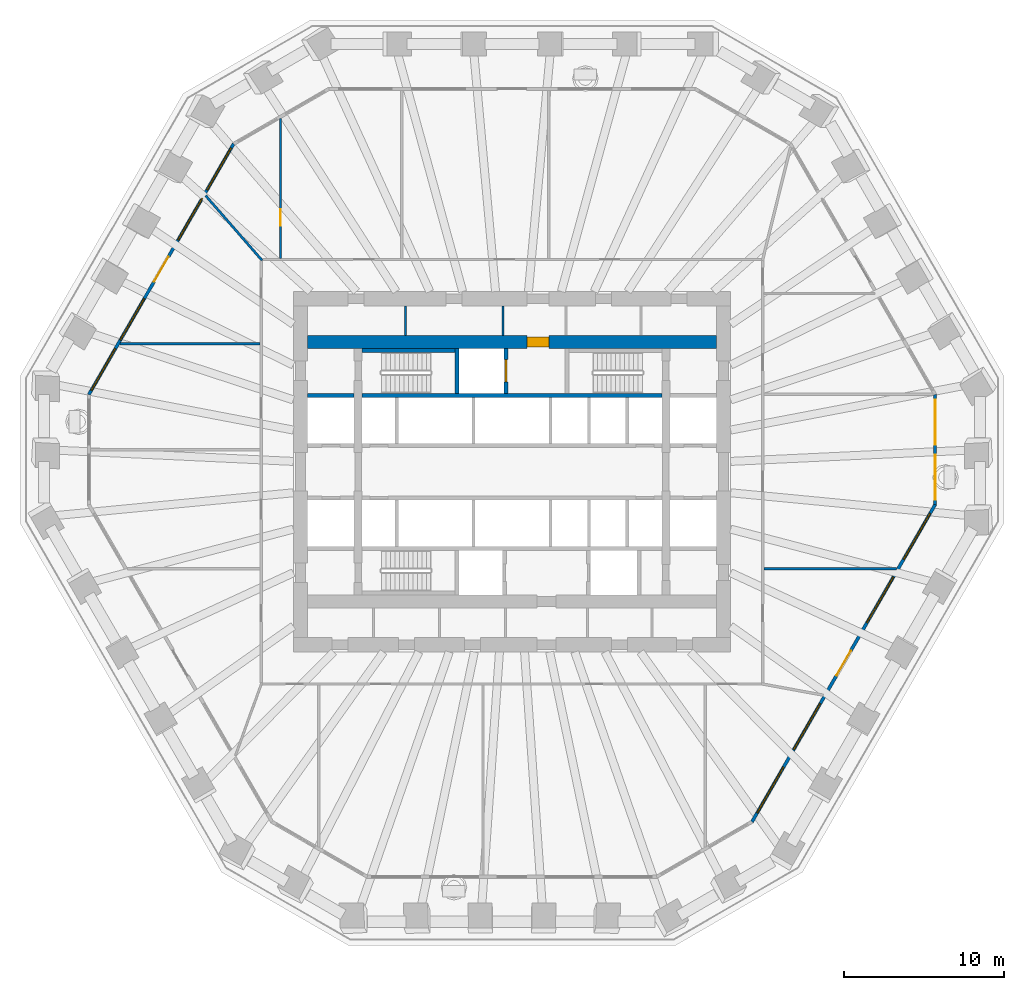
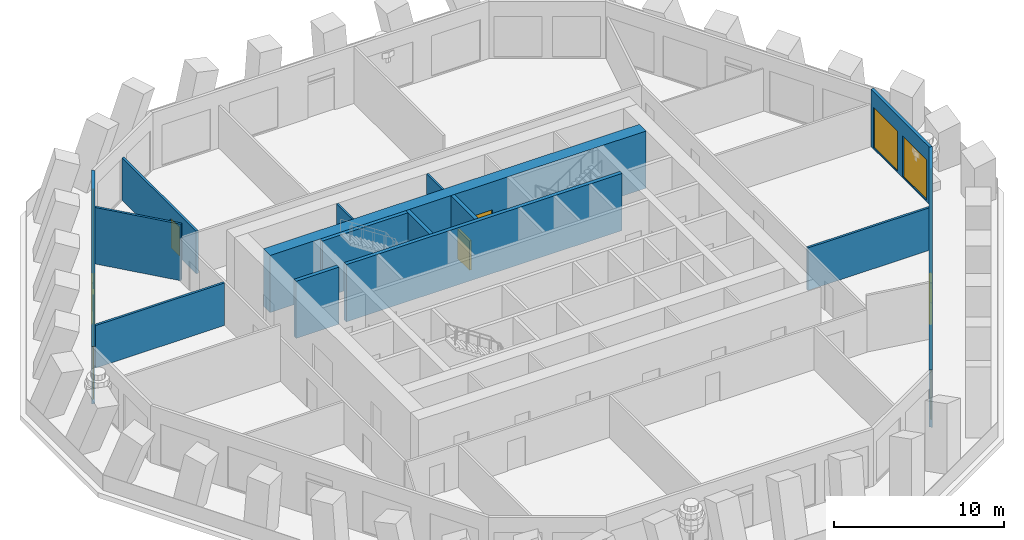
# One storey, part 6 of 11: 15 walls, 12 windows, 5 doors, 17 openings.
"""IFC4 building model written with IfcOpenShell, lengths in metres."""

from ifc_helpers import new_model, si_unit, direction, frame, frame_2d, origin, place, context, subcontext, project, spatial, polyline, rectangle, outline, extrude, material, layer, layer_set, type_object, element, fill, save


model = new_model("IFC4")

# Units and contexts
model_context = context("Model", 3, precision=1e-05, world=origin(), true_north=direction((0.0, 1.0)))
body_context = subcontext(model_context, "Body", "Model", "MODEL_VIEW")
ifc_project = project(units=[si_unit("LENGTHUNIT", "METRE"), si_unit("AREAUNIT", "SQUARE_METRE"), si_unit("VOLUMEUNIT", "CUBIC_METRE"), si_unit("PLANEANGLEUNIT", "RADIAN"), si_unit("MASSUNIT", "GRAM", prefix="KILO")], contexts=[model_context])

# Site, building, storey
site_placement = place(None, origin())
site = spatial("IfcSite", under=ifc_project, at=site_placement, CompositionType="ELEMENT")
building_placement = place(site_placement, origin())
building = spatial("IfcBuilding", under=site, at=building_placement, Name="Frailejon Research Tower", CompositionType="ELEMENT")
storey_placement = place(building_placement, frame((0.0, 0.0, 67.39990234375)))
storey = spatial("IfcBuildingStorey", under=building, at=storey_placement, Name="L15", CompositionType="ELEMENT", Elevation=67.39990234375)

# Walls
ifc_material_1 = material(Name="Plasterboard on steel studs", Category="steel")
ifc_layer_1 = layer(ifc_material_1, 0.125)
ifc_layer_set_1 = layer_set([ifc_layer_1], Name="Core partition 125")
wall_type_1 = type_object("IfcWallType", Name="Core partition 125", PredefinedType="PARTITIONING", material=ifc_layer_set_1)
for number, where, z_axis, x_axis, name in (
    (1, (-6.65625, 8.5, 0.0), (0.0, 0.0, 1.0), (0.0, 1.0, 0.0), "Core partition"),
    (2, (-0.5625, 8.5, 0.0), (0.0, 0.0, 1.0), (0.0, 1.0, 0.0), "Core partition"),
):
    element("IfcWall", number, at=place(storey_placement, frame(where, z_axis=z_axis, x_axis=x_axis)), inside=storey, type_object=wall_type_1, Name=name, PredefinedType="PARTITIONING", context=body_context, shape_type="SweptSolid", body=[
        extrude(rectangle(XDim=1.85009765625, YDim=0.125, at=frame_2d((0.925048828125, 0.0))), origin(), (0.0, 0.0, 1.0), 4.10009765625),
    ])

# Wall, opening, door
ifc_material_2 = material(Name="Concrete C70/85", Category="concrete")
ifc_layer_2 = layer(ifc_material_2, 0.800048828125)
ifc_layer_set_2 = layer_set([ifc_layer_2], Name="Core shear wall 800 C70/85")
wall_type_2 = type_object("IfcWallType", Name="Core shear wall 800 C70/85", PredefinedType="SHEAR", material=ifc_layer_set_2)
wall_1_placement = place(storey_placement, frame((-12.75, 8.10009765625, 0.0), z_axis=(0.0, 0.0, 1.0), x_axis=(1.0, 0.0, 0.0)))
wall_1 = element("IfcWall", 3, at=wall_1_placement, inside=storey, type_object=wall_type_2, Name="Core shear wall", PredefinedType="SHEAR", context=body_context, shape_type="SweptSolid", body=[
    extrude(rectangle(XDim=25.5, YDim=0.800048828125, at=frame_2d((12.75, 0.0))), origin(), (0.0, 0.0, 1.0), 4.10009765625),
])
opening_1_placement = place(wall_1_placement, frame((13.675048828125, 0.0, 0.0)))
opening_1 = element("IfcOpeningElement", 4, at=opening_1_placement, cuts=wall_1, Name="Opening D9", PredefinedType="OPENING", context=body_context, shape_type="SweptSolid", body=[
    extrude(rectangle(XDim=1.39990234375, YDim=2.10009765625, at=frame_2d((0.699951171875, 1.050048828125))), frame((0.0, 0.409912109375, 0.0), z_axis=(0.0, -1.0, 0.0), x_axis=(1.0, 0.0, 0.0)), (0.0, 0.0, 1.0), 0.820068359375),
])
ifc_material_3 = material(Name="Steel", Category="steel")
door_type_1 = type_object("IfcDoorType", Name="Goods lobby door", OperationType="DOUBLE_DOOR_SINGLE_SWING", PredefinedType="DOOR", material=ifc_material_3)
door_1_placement = place(opening_1_placement, origin())
door_1 = element("IfcDoor", 5, at=door_1_placement, inside=storey, type_object=door_type_1, Name="Goods lobby door", OperationType="DOUBLE_DOOR_SINGLE_SWING", OverallHeight=2.10009765625, OverallWidth=1.39990234375, PredefinedType="DOOR", context=body_context, shape_type="SweptSolid", body=[
    extrude(rectangle(XDim=1.39990234375, YDim=2.10009765625, at=frame_2d((0.699951171875, 1.050048828125))), frame((0.0, 0.300048828125, 0.0), z_axis=(0.0, -1.0, 0.0), x_axis=(1.0, 0.0, 0.0)), (0.0, 0.0, 1.0), 0.60009765625),
])
fill(opening_1, door_1)

ifc_material_4 = material(Name="Gypsum board and masonry partition", Category="masonry")
ifc_layer_3 = layer(ifc_material_4, 0.14990234375)
ifc_layer_set_3 = layer_set([ifc_layer_3], Name="Laboratory partition, blockwork 150")
wall_type_3 = type_object("IfcWallType", Name="Laboratory partition, blockwork 150", PredefinedType="PARTITIONING", material=ifc_layer_set_3)
wall_2_placement = place(storey_placement, frame((-14.453125, 13.324951171875, 0.0), z_axis=(0.0, 0.0, 1.0), x_axis=(0.0, 1.0, 0.0)))
wall_2 = element("IfcWall", 6, at=wall_2_placement, inside=storey, type_object=wall_type_3, Name="T:IW:L15:009", PredefinedType="PARTITIONING", context=body_context, shape_type="SweptSolid", body=[
    extrude(rectangle(XDim=8.712158203125, YDim=0.14990234375, at=frame_2d((4.35595703125, 0.0))), origin(), (0.0, 0.0, 1.0), 3.050048828125),
])
opening_2_placement = place(wall_2_placement, frame((2.046875, 0.0, 0.0)))
opening_2 = element("IfcOpeningElement", 7, at=opening_2_placement, cuts=wall_2, Name="Opening D1472", PredefinedType="OPENING", context=body_context, shape_type="SweptSolid", body=[
    extrude(rectangle(XDim=1.0, YDim=2.10009765625, at=frame_2d((0.5, 1.050048828125))), frame((0.0, 0.0849609375, 0.0), z_axis=(0.0, -1.0, 0.0), x_axis=(1.0, 0.0, 0.0)), (0.0, 0.0, 1.0), 0.169921875),
])
ifc_material_5 = material(Name="Timber door leaf", Category="wood")
door_type_2 = type_object("IfcDoorType", Name="Door single leaf, timber, steel frame 1000", OperationType="NOTDEFINED", PredefinedType="DOOR", material=ifc_material_5)
door_2_placement = place(opening_2_placement, origin())
door_2 = element("IfcDoor", 8, at=door_2_placement, inside=storey, type_object=door_type_2, Name="D1472", OperationType="SINGLE_SWING_RIGHT", OverallHeight=2.10009765625, OverallWidth=1.0, PredefinedType="DOOR", context=body_context, shape_type="SweptSolid", body=[
    extrude(rectangle(XDim=1.0, YDim=2.10009765625, at=frame_2d((0.5, 1.050048828125))), frame((0.0, 0.02490234375, 0.0), z_axis=(0.0, -1.0, 0.0), x_axis=(1.0, 0.0, 0.0)), (0.0, 0.0, 1.0), 0.050048828125),
])
fill(opening_2, door_2)

# Walls
wall_3_placement = place(storey_placement, frame((-19.125732421875, 17.23876953125, 0.0), z_axis=(0.0, 0.0, 1.0), x_axis=(0.65698603945, -0.753902741717, 0.0)))
element("IfcWall", 9, at=wall_3_placement, inside=storey, type_object=wall_type_3, Name="T:IW:L15:010", PredefinedType="PARTITIONING", context=body_context, shape_type="SweptSolid", body=[
    extrude(rectangle(XDim=5.36572265625, YDim=0.14990234375, at=frame_2d((2.682861328125, 0.0))), origin(), (0.0, 0.0, 1.0), 4.050048828125),
])
wall_4_placement = place(storey_placement, frame((-24.468505859375, 7.984619140625, 0.0), z_axis=(0.0, 0.0, 1.0), x_axis=(1.0, 0.0, 0.0)))
element("IfcWall", 10, at=wall_4_placement, inside=storey, type_object=wall_type_3, Name="T:IW:L15:011", PredefinedType="PARTITIONING", context=body_context, shape_type="SweptSolid", body=[
    extrude(rectangle(XDim=8.743408203125, YDim=0.14990234375, at=frame_2d((4.37158203125, 0.0))), origin(), (0.0, 0.0, 1.0), 3.050048828125),
])
wall_5_placement = place(storey_placement, frame((15.72509765625, -6.048828125, 0.0), z_axis=(0.0, 0.0, 1.0), x_axis=(1.0, 0.0, 0.0)))
element("IfcWall", 11, at=wall_5_placement, inside=storey, type_object=wall_type_3, Name="T:IW:L15:014", PredefinedType="PARTITIONING", context=body_context, shape_type="SweptSolid", body=[
    extrude(rectangle(XDim=8.264404296875, YDim=0.14990234375, at=frame_2d((4.13232421875, 0.0))), origin(), (0.0, 0.0, 1.0), 3.050048828125),
])
ifc_material_6 = material(Name="Concrete C70/85", Category="concrete")
ifc_layer_4 = layer(ifc_material_6, 0.25)
ifc_layer_set_4 = layer_set([ifc_layer_4], Name="Shaft wall 250 C70/85")
wall_type_4 = type_object("IfcWallType", Name="Shaft wall 250 C70/85", PredefinedType="SOLIDWALL", material=ifc_layer_set_4)
wall_6_placement = place(storey_placement, frame((-12.75, 4.77490234375, 0.0), z_axis=(0.0, 0.0, 1.0), x_axis=(1.0, 0.0, 0.0)))
element("IfcWall", 12, at=wall_6_placement, inside=storey, type_object=wall_type_4, Name="Shaft wall", PredefinedType="SOLIDWALL", context=body_context, shape_type="SweptSolid", body=[
    extrude(rectangle(XDim=2.89990234375, YDim=0.25, at=frame_2d((1.449951171875, 0.0))), origin(), (0.0, 0.0, 1.0), 4.10009765625),
])
wall_7_placement = place(storey_placement, frame((-9.35009765625, 4.77490234375, 0.0), z_axis=(0.0, 0.0, 1.0), x_axis=(1.0, 0.0, 0.0)))
element("IfcWall", 13, at=wall_7_placement, inside=storey, type_object=wall_type_4, Name="Shaft wall", PredefinedType="SOLIDWALL", context=body_context, shape_type="SweptSolid", body=[
    extrude(rectangle(XDim=18.7001953125, YDim=0.25, at=frame_2d((9.35009765625, 0.0))), origin(), (0.0, 0.0, 1.0), 4.10009765625),
])
wall_8_placement = place(storey_placement, frame((-9.35009765625, 7.574951171875, 0.0), z_axis=(0.0, 0.0, 1.0), x_axis=(1.0, 0.0, 0.0)))
element("IfcWall", 14, at=wall_8_placement, inside=storey, type_object=wall_type_4, Name="Shaft wall", PredefinedType="SOLIDWALL", context=body_context, shape_type="SweptSolid", body=[
    extrude(rectangle(XDim=5.800048828125, YDim=0.25, at=frame_2d((2.89990234375, 0.0))), origin(), (0.0, 0.0, 1.0), 4.10009765625),
])
wall_9_placement = place(storey_placement, frame((-3.425048828125, 4.89990234375, 0.0), z_axis=(0.0, 0.0, 1.0), x_axis=(0.0, 1.0, 0.0)))
element("IfcWall", 15, at=wall_9_placement, inside=storey, type_object=wall_type_4, Name="Shaft wall", PredefinedType="SOLIDWALL", context=body_context, shape_type="SweptSolid", body=[
    extrude(rectangle(XDim=2.800048828125, YDim=0.25, at=frame_2d((1.39990234375, 0.0))), origin(), (0.0, 0.0, 1.0), 4.10009765625),
])

# Wall, opening, door
wall_10_placement = place(storey_placement, frame((-0.375, 4.89990234375, 0.0), z_axis=(0.0, 0.0, 1.0), x_axis=(0.0, 1.0, 0.0)))
wall_10 = element("IfcWall", 16, at=wall_10_placement, inside=storey, type_object=wall_type_4, Name="Shaft wall", PredefinedType="SOLIDWALL", context=body_context, shape_type="SweptSolid", body=[
    extrude(rectangle(XDim=2.800048828125, YDim=0.25, at=frame_2d((1.39990234375, 0.0))), origin(), (0.0, 0.0, 1.0), 4.10009765625),
])
opening_3_placement = place(wall_10_placement, frame((0.699951171875, 0.0, 0.0)))
opening_3 = element("IfcOpeningElement", 17, at=opening_3_placement, cuts=wall_10, Name="Opening LD2", PredefinedType="OPENING", context=body_context, shape_type="SweptSolid", body=[
    extrude(rectangle(XDim=1.39990234375, YDim=2.10009765625, at=frame_2d((0.699951171875, 1.050048828125))), frame((0.0, 0.135009765625, 0.0), z_axis=(0.0, -1.0, 0.0), x_axis=(1.0, 0.0, 0.0)), (0.0, 0.0, 1.0), 0.27001953125),
])
ifc_material_7 = material(Name="Stainless steel", Category="steel")
door_type_3 = type_object("IfcDoorType", Name="Goods landing door", OperationType="DOUBLE_DOOR_SLIDING", PredefinedType="DOOR", material=ifc_material_7)
door_3_placement = place(opening_3_placement, origin())
door_3 = element("IfcDoor", 18, at=door_3_placement, inside=storey, type_object=door_type_3, Name="Lift landing door", OperationType="DOUBLE_DOOR_SLIDING", OverallHeight=2.10009765625, OverallWidth=1.39990234375, PredefinedType="DOOR", context=body_context, shape_type="SweptSolid", body=[
    extrude(rectangle(XDim=1.39990234375, YDim=2.10009765625, at=frame_2d((0.699951171875, 1.050048828125))), frame((0.0, 0.074951171875, 0.0), z_axis=(0.0, -1.0, 0.0), x_axis=(1.0, 0.0, 0.0)), (0.0, 0.0, 1.0), 0.14990234375),
])
fill(opening_3, door_3)

# Wall, openings, windows
ifc_material_8 = material(Name="Concrete C40/50 precast window wall panel", Category="concrete")
ifc_layer_5 = layer(ifc_material_8, 0.199951171875)
ifc_layer_set_5 = layer_set([ifc_layer_5], Name="Window wall 200")
wall_type_5 = type_object("IfcWallType", Name="Window wall 200", PredefinedType="SOLIDWALL", material=ifc_layer_set_5)
wall_11_placement = place(storey_placement, frame((26.4111328125, -2.0546875, 0.0), z_axis=(0.0, 0.0, 1.0), x_axis=(0.0, 1.0, 0.0)))
wall_11 = element("IfcWall", 19, at=wall_11_placement, inside=storey, type_object=wall_type_5, Name="Exterior wall L15", PredefinedType="SOLIDWALL", context=body_context, shape_type="SweptSolid", body=[
    extrude(outline(polyline([(-0.02685546875, -0.10009765625), (1.1279296875, -0.10009765625), (2.28271484375, -0.10009765625), (3.4375, -0.10009765625), (4.592041015625, -0.10009765625), (5.746826171875, -0.10009765625), (6.901611328125, -0.10009765625), (6.847900390625, 0.10009765625), (5.7109375, 0.10009765625), (4.57421875, 0.10009765625), (3.4375, 0.10009765625), (2.300537109375, 0.10009765625), (1.16357421875, 0.10009765625), (0.02685546875, 0.10009765625), (-0.02685546875, -0.10009765625)])), origin(), (0.0, 0.0, 1.0), 4.10009765625),
])
opening_4_placement = place(wall_11_placement, frame((0.318603515625, 0.0, 0.10009765625)))
opening_4 = element("IfcOpeningElement", 20, at=opening_4_placement, cuts=wall_11, Name="Opening W3", PredefinedType="OPENING", context=body_context, shape_type="SweptSolid", body=[
    extrude(rectangle(XDim=2.800048828125, YDim=2.89990234375, at=frame_2d((1.39990234375, 1.449951171875))), frame((0.0, 0.10986328125, 0.0), z_axis=(0.0, -1.0, 0.0), x_axis=(1.0, 0.0, 0.0)), (0.0, 0.0, 1.0), 0.219970703125),
])
opening_5_placement = place(wall_11_placement, frame((3.756103515625, 0.0, 0.10009765625)))
opening_5 = element("IfcOpeningElement", 21, at=opening_5_placement, cuts=wall_11, Name="Opening W3", PredefinedType="OPENING", context=body_context, shape_type="SweptSolid", body=[
    extrude(rectangle(XDim=2.800048828125, YDim=2.89990234375, at=frame_2d((1.39990234375, 1.449951171875))), frame((0.0, 0.10986328125, 0.0), z_axis=(0.0, -1.0, 0.0), x_axis=(1.0, 0.0, 0.0)), (0.0, 0.0, 1.0), 0.219970703125),
])
ifc_material_9 = material(Name="Aluminium framed double glazing", Category="aluminium")
window_type_1 = type_object("IfcWindowType", Name="Window 2800x2900", PartitioningType="SINGLE_PANEL", PredefinedType="WINDOW", material=ifc_material_9)
window_1_placement = place(opening_4_placement, origin())
window_1 = element("IfcWindow", 22, at=window_1_placement, inside=storey, type_object=window_type_1, Name="Window L15", OverallHeight=2.89990234375, OverallWidth=2.800048828125, PartitioningType="SINGLE_PANEL", PredefinedType="WINDOW", context=body_context, shape_type="SweptSolid", body=[
    extrude(rectangle(XDim=2.800048828125, YDim=2.89990234375, at=frame_2d((1.39990234375, 1.449951171875))), frame((0.0, 0.030029296875, 0.0), z_axis=(0.0, -1.0, 0.0), x_axis=(1.0, 0.0, 0.0)), (0.0, 0.0, 1.0), 0.06005859375),
])
fill(opening_4, window_1)
window_2_placement = place(opening_5_placement, origin())
window_2 = element("IfcWindow", 23, at=window_2_placement, inside=storey, type_object=window_type_1, Name="Window L15", OverallHeight=2.89990234375, OverallWidth=2.800048828125, PartitioningType="SINGLE_PANEL", PredefinedType="WINDOW", context=body_context, shape_type="SweptSolid", body=[
    extrude(rectangle(XDim=2.800048828125, YDim=2.89990234375, at=frame_2d((1.39990234375, 1.449951171875))), frame((0.0, 0.030029296875, 0.0), z_axis=(0.0, -1.0, 0.0), x_axis=(1.0, 0.0, 0.0)), (0.0, 0.0, 1.0), 0.06005859375),
])
fill(opening_5, window_2)

# Wall, openings, door, windows
wall_12_placement = place(storey_placement, frame((-17.3798828125, 20.462646484375, 0.0), z_axis=(0.0, 0.0, 1.0), x_axis=(-0.500000137386, -0.866025324465, 0.0)))
wall_12 = element("IfcWall", 24, at=wall_12_placement, inside=storey, type_object=wall_type_5, Name="Exterior wall L15", PredefinedType="SOLIDWALL", context=body_context, shape_type="SweptSolid", body=[
    extrude(outline(polyline([(-0.02685546875, -0.10009765625), (0.9794921875, -0.10009765625), (1.986083984375, -0.10009765625), (2.992431640625, -0.10009765625), (3.9990234375, -0.10009765625), (5.00537109375, -0.10009765625), (6.011962890625, -0.10009765625), (7.018310546875, -0.10009765625), (8.02490234375, -0.10009765625), (9.03125, -0.10009765625), (10.03759765625, -0.10009765625), (11.044189453125, -0.10009765625), (12.050537109375, -0.10009765625), (13.05712890625, -0.10009765625), (14.0634765625, -0.10009765625), (15.070068359375, -0.10009765625), (16.076416015625, -0.10009765625), (17.0830078125, -0.10009765625), (18.08935546875, -0.10009765625), (18.03564453125, 0.10009765625), (17.03515625, 0.10009765625), (16.03466796875, 0.10009765625), (15.0341796875, 0.10009765625), (14.03369140625, 0.10009765625), (13.033203125, 0.10009765625), (12.03271484375, 0.10009765625), (11.0322265625, 0.10009765625), (10.03173828125, 0.10009765625), (9.03125, 0.10009765625), (8.03076171875, 0.10009765625), (7.0302734375, 0.10009765625), (6.02978515625, 0.10009765625), (5.029296875, 0.10009765625), (4.02880859375, 0.10009765625), (3.0283203125, 0.10009765625), (2.02783203125, 0.10009765625), (1.02734375, 0.10009765625), (0.02685546875, 0.10009765625), (-0.02685546875, -0.10009765625)])), origin(), (0.0, 0.0, 1.0), 4.10009765625),
])
opening_6_placement = place(wall_12_placement, frame((0.306396484375, 0.0, 0.10009765625)))
opening_6 = element("IfcOpeningElement", 25, at=opening_6_placement, cuts=wall_12, Name="Opening W4", PredefinedType="OPENING", context=body_context, shape_type="SweptSolid", body=[
    extrude(rectangle(XDim=3.0, YDim=2.89990234375, at=frame_2d((1.5, 1.449951171875))), frame((0.0, 0.10986328125, 0.0), z_axis=(0.0, -1.0, 0.0), x_axis=(1.0, 0.0, 0.0)), (0.0, 0.0, 1.0), 0.219970703125),
])
opening_7_placement = place(wall_12_placement, frame((3.918701171875, 0.0, 0.10009765625)))
opening_7 = element("IfcOpeningElement", 26, at=opening_7_placement, cuts=wall_12, Name="Opening W4", PredefinedType="OPENING", context=body_context, shape_type="SweptSolid", body=[
    extrude(rectangle(XDim=3.0, YDim=2.89990234375, at=frame_2d((1.5, 1.449951171875))), frame((0.0, 0.10986328125, 0.0), z_axis=(0.0, -1.0, 0.0), x_axis=(1.0, 0.0, 0.0)), (0.0, 0.0, 1.0), 0.219970703125),
])
opening_8_placement = place(wall_12_placement, frame((8.13134765625, 0.0, 0.0)))
opening_8 = element("IfcOpeningElement", 27, at=opening_8_placement, cuts=wall_12, Name="Opening LG15-3", PredefinedType="OPENING", context=body_context, shape_type="SweptSolid", body=[
    extrude(rectangle(XDim=1.800048828125, YDim=2.39990234375, at=frame_2d((0.89990234375, 1.199951171875))), frame((0.0, 0.10986328125, 0.0), z_axis=(0.0, -1.0, 0.0), x_axis=(1.0, 0.0, 0.0)), (0.0, 0.0, 1.0), 0.219970703125),
])
opening_9_placement = place(wall_12_placement, frame((8.13134765625, 0.0, 2.550048828125)))
opening_9 = element("IfcOpeningElement", 28, at=opening_9_placement, cuts=wall_12, Name="Opening W1", PredefinedType="OPENING", context=body_context, shape_type="SweptSolid", body=[
    extrude(rectangle(XDim=1.800048828125, YDim=0.449951171875, at=frame_2d((0.89990234375, 0.22509765625))), frame((0.0, 0.10986328125, 0.0), z_axis=(0.0, -1.0, 0.0), x_axis=(1.0, 0.0, 0.0)), (0.0, 0.0, 1.0), 0.219970703125),
])
opening_10_placement = place(wall_12_placement, frame((11.143798828125, 0.0, 0.10009765625)))
opening_10 = element("IfcOpeningElement", 29, at=opening_10_placement, cuts=wall_12, Name="Opening W4", PredefinedType="OPENING", context=body_context, shape_type="SweptSolid", body=[
    extrude(rectangle(XDim=3.0, YDim=2.89990234375, at=frame_2d((1.5, 1.449951171875))), frame((0.0, 0.10986328125, 0.0), z_axis=(0.0, -1.0, 0.0), x_axis=(1.0, 0.0, 0.0)), (0.0, 0.0, 1.0), 0.219970703125),
])
opening_11_placement = place(wall_12_placement, frame((14.75634765625, 0.0, 0.10009765625)))
opening_11 = element("IfcOpeningElement", 30, at=opening_11_placement, cuts=wall_12, Name="Opening W4", PredefinedType="OPENING", context=body_context, shape_type="SweptSolid", body=[
    extrude(rectangle(XDim=3.0, YDim=2.89990234375, at=frame_2d((1.5, 1.449951171875))), frame((0.0, 0.10986328125, 0.0), z_axis=(0.0, -1.0, 0.0), x_axis=(1.0, 0.0, 0.0)), (0.0, 0.0, 1.0), 0.219970703125),
])
ifc_material_10 = material(Name="Aluminium framed glazed door leaf", Category="aluminium")
door_type_4 = type_object("IfcDoorType", Name="Loggia door 1800x2400", OperationType="DOUBLE_DOOR_SINGLE_SWING", PredefinedType="DOOR", material=ifc_material_10)
door_4_placement = place(opening_8_placement, origin())
door_4 = element("IfcDoor", 31, at=door_4_placement, inside=storey, type_object=door_type_4, Name="Door LG15-3", OperationType="DOUBLE_DOOR_SINGLE_SWING", OverallHeight=2.39990234375, OverallWidth=1.800048828125, PredefinedType="DOOR", context=body_context, shape_type="SweptSolid", body=[
    extrude(rectangle(XDim=1.800048828125, YDim=2.39990234375, at=frame_2d((0.89990234375, 1.199951171875))), frame((0.0, 0.02490234375, 0.0), z_axis=(0.0, -1.0, 0.0), x_axis=(1.0, 0.0, 0.0)), (0.0, 0.0, 1.0), 0.050048828125),
])
fill(opening_8, door_4)
ifc_material_11 = material(Name="Aluminium framed double glazing", Category="aluminium")
window_type_2 = type_object("IfcWindowType", Name="Window 1800x450", PartitioningType="SINGLE_PANEL", PredefinedType="WINDOW", material=ifc_material_11)
window_3_placement = place(opening_9_placement, origin())
window_3 = element("IfcWindow", 32, at=window_3_placement, inside=storey, type_object=window_type_2, Name="Window L15", OverallHeight=0.449951171875, OverallWidth=1.800048828125, PartitioningType="SINGLE_PANEL", PredefinedType="WINDOW", context=body_context, shape_type="SweptSolid", body=[
    extrude(rectangle(XDim=1.800048828125, YDim=0.449951171875, at=frame_2d((0.89990234375, 0.22509765625))), frame((0.0, 0.030029296875, 0.0), z_axis=(0.0, -1.0, 0.0), x_axis=(1.0, 0.0, 0.0)), (0.0, 0.0, 1.0), 0.06005859375),
])
fill(opening_9, window_3)
ifc_material_12 = material(Name="Aluminium framed double glazing", Category="aluminium")
window_type_3 = type_object("IfcWindowType", Name="Window 3000x2900", PartitioningType="SINGLE_PANEL", PredefinedType="WINDOW", material=ifc_material_12)
window_4_placement = place(opening_6_placement, origin())
window_4 = element("IfcWindow", 33, at=window_4_placement, inside=storey, type_object=window_type_3, Name="Window L15", OverallHeight=2.89990234375, OverallWidth=3.0, PartitioningType="SINGLE_PANEL", PredefinedType="WINDOW", context=body_context, shape_type="SweptSolid", body=[
    extrude(rectangle(XDim=3.0, YDim=2.89990234375, at=frame_2d((1.5, 1.449951171875))), frame((0.0, 0.030029296875, 0.0), z_axis=(0.0, -1.0, 0.0), x_axis=(1.0, 0.0, 0.0)), (0.0, 0.0, 1.0), 0.06005859375),
])
fill(opening_6, window_4)
window_5_placement = place(opening_7_placement, origin())
window_5 = element("IfcWindow", 34, at=window_5_placement, inside=storey, type_object=window_type_3, Name="Window L15", OverallHeight=2.89990234375, OverallWidth=3.0, PartitioningType="SINGLE_PANEL", PredefinedType="WINDOW", context=body_context, shape_type="SweptSolid", body=[
    extrude(rectangle(XDim=3.0, YDim=2.89990234375, at=frame_2d((1.5, 1.449951171875))), frame((0.0, 0.030029296875, 0.0), z_axis=(0.0, -1.0, 0.0), x_axis=(1.0, 0.0, 0.0)), (0.0, 0.0, 1.0), 0.06005859375),
])
fill(opening_7, window_5)
window_6_placement = place(opening_10_placement, origin())
window_6 = element("IfcWindow", 35, at=window_6_placement, inside=storey, type_object=window_type_3, Name="Window L15", OverallHeight=2.89990234375, OverallWidth=3.0, PartitioningType="SINGLE_PANEL", PredefinedType="WINDOW", context=body_context, shape_type="SweptSolid", body=[
    extrude(rectangle(XDim=3.0, YDim=2.89990234375, at=frame_2d((1.5, 1.449951171875))), frame((0.0, 0.030029296875, 0.0), z_axis=(0.0, -1.0, 0.0), x_axis=(1.0, 0.0, 0.0)), (0.0, 0.0, 1.0), 0.06005859375),
])
fill(opening_10, window_6)
window_7_placement = place(opening_11_placement, origin())
window_7 = element("IfcWindow", 36, at=window_7_placement, inside=storey, type_object=window_type_3, Name="Window L15", OverallHeight=2.89990234375, OverallWidth=3.0, PartitioningType="SINGLE_PANEL", PredefinedType="WINDOW", context=body_context, shape_type="SweptSolid", body=[
    extrude(rectangle(XDim=3.0, YDim=2.89990234375, at=frame_2d((1.5, 1.449951171875))), frame((0.0, 0.030029296875, 0.0), z_axis=(0.0, -1.0, 0.0), x_axis=(1.0, 0.0, 0.0)), (0.0, 0.0, 1.0), 0.06005859375),
])
fill(opening_11, window_7)

wall_13_placement = place(storey_placement, frame((14.98486328125, -21.845458984375, 0.0), z_axis=(0.0, 0.0, 1.0), x_axis=(0.50000204422, 0.86602422355, 0.0)))
wall_13 = element("IfcWall", 37, at=wall_13_placement, inside=storey, type_object=wall_type_5, Name="Exterior wall L15", PredefinedType="SOLIDWALL", context=body_context, shape_type="SweptSolid", body=[
    extrude(outline(polyline([(-0.02685546875, -0.10009765625), (1.014404296875, -0.10009765625), (2.055419921875, -0.10009765625), (3.0966796875, -0.10009765625), (4.137939453125, -0.10009765625), (5.17919921875, -0.10009765625), (6.22021484375, -0.10009765625), (7.261474609375, -0.10009765625), (8.302734375, -0.10009765625), (9.343994140625, -0.10009765625), (10.385009765625, -0.10009765625), (11.42626953125, -0.10009765625), (12.467529296875, -0.10009765625), (13.508544921875, -0.10009765625), (14.5498046875, -0.10009765625), (15.591064453125, -0.10009765625), (16.63232421875, -0.10009765625), (17.67333984375, -0.10009765625), (18.714599609375, -0.10009765625), (19.755859375, -0.10009765625), (20.797119140625, -0.10009765625), (21.838134765625, -0.10009765625), (22.87939453125, -0.10009765625), (22.82568359375, 0.10009765625), (21.789306640625, 0.10009765625), (20.753173828125, 0.10009765625), (19.716796875, 0.10009765625), (18.680419921875, 0.10009765625), (17.64404296875, 0.10009765625), (16.60791015625, 0.10009765625), (15.571533203125, 0.10009765625), (14.53515625, 0.10009765625), (13.498779296875, 0.10009765625), (12.462646484375, 0.10009765625), (11.42626953125, 0.10009765625), (10.389892578125, 0.10009765625), (9.353759765625, 0.10009765625), (8.3173828125, 0.10009765625), (7.281005859375, 0.10009765625), (6.24462890625, 0.10009765625), (5.20849609375, 0.10009765625), (4.172119140625, 0.10009765625), (3.1357421875, 0.10009765625), (2.099365234375, 0.10009765625), (1.063232421875, 0.10009765625), (0.02685546875, 0.10009765625), (-0.02685546875, -0.10009765625)])), origin(), (0.0, 0.0, 1.0), 4.10009765625),
])
opening_12_placement = place(wall_13_placement, frame((0.63525390625, 0.0, 0.10009765625)))
opening_12 = element("IfcOpeningElement", 38, at=opening_12_placement, cuts=wall_13, Name="Opening W5", PredefinedType="OPENING", context=body_context, shape_type="SweptSolid", body=[
    extrude(rectangle(XDim=3.300048828125, YDim=2.89990234375, at=frame_2d((1.64990234375, 1.449951171875))), frame((0.0, 0.10986328125, 0.0), z_axis=(0.0, -1.0, 0.0), x_axis=(1.0, 0.0, 0.0)), (0.0, 0.0, 1.0), 0.219970703125),
])
opening_13_placement = place(wall_13_placement, frame((5.205810546875, 0.0, 0.10009765625)))
opening_13 = element("IfcOpeningElement", 39, at=opening_13_placement, cuts=wall_13, Name="Opening W5", PredefinedType="OPENING", context=body_context, shape_type="SweptSolid", body=[
    extrude(rectangle(XDim=3.300048828125, YDim=2.89990234375, at=frame_2d((1.64990234375, 1.449951171875))), frame((0.0, 0.10986328125, 0.0), z_axis=(0.0, -1.0, 0.0), x_axis=(1.0, 0.0, 0.0)), (0.0, 0.0, 1.0), 0.219970703125),
])
opening_14_placement = place(wall_13_placement, frame((10.5263671875, 0.0, 0.0)))
opening_14 = element("IfcOpeningElement", 40, at=opening_14_placement, cuts=wall_13, Name="Opening LG15-6", PredefinedType="OPENING", context=body_context, shape_type="SweptSolid", body=[
    extrude(rectangle(XDim=1.800048828125, YDim=2.39990234375, at=frame_2d((0.89990234375, 1.199951171875))), frame((0.0, 0.10986328125, 0.0), z_axis=(0.0, -1.0, 0.0), x_axis=(1.0, 0.0, 0.0)), (0.0, 0.0, 1.0), 0.219970703125),
])
opening_15_placement = place(wall_13_placement, frame((10.5263671875, 0.0, 2.550048828125)))
opening_15 = element("IfcOpeningElement", 41, at=opening_15_placement, cuts=wall_13, Name="Opening W1", PredefinedType="OPENING", context=body_context, shape_type="SweptSolid", body=[
    extrude(rectangle(XDim=1.800048828125, YDim=0.449951171875, at=frame_2d((0.89990234375, 0.22509765625))), frame((0.0, 0.10986328125, 0.0), z_axis=(0.0, -1.0, 0.0), x_axis=(1.0, 0.0, 0.0)), (0.0, 0.0, 1.0), 0.219970703125),
])
opening_16_placement = place(wall_13_placement, frame((14.3466796875, 0.0, 0.10009765625)))
opening_16 = element("IfcOpeningElement", 42, at=opening_16_placement, cuts=wall_13, Name="Opening W5", PredefinedType="OPENING", context=body_context, shape_type="SweptSolid", body=[
    extrude(rectangle(XDim=3.300048828125, YDim=2.89990234375, at=frame_2d((1.64990234375, 1.449951171875))), frame((0.0, 0.10986328125, 0.0), z_axis=(0.0, -1.0, 0.0), x_axis=(1.0, 0.0, 0.0)), (0.0, 0.0, 1.0), 0.219970703125),
])
opening_17_placement = place(wall_13_placement, frame((18.917236328125, 0.0, 0.10009765625)))
opening_17 = element("IfcOpeningElement", 43, at=opening_17_placement, cuts=wall_13, Name="Opening W5", PredefinedType="OPENING", context=body_context, shape_type="SweptSolid", body=[
    extrude(rectangle(XDim=3.300048828125, YDim=2.89990234375, at=frame_2d((1.64990234375, 1.449951171875))), frame((0.0, 0.10986328125, 0.0), z_axis=(0.0, -1.0, 0.0), x_axis=(1.0, 0.0, 0.0)), (0.0, 0.0, 1.0), 0.219970703125),
])
door_5_placement = place(opening_14_placement, origin())
door_5 = element("IfcDoor", 44, at=door_5_placement, inside=storey, type_object=door_type_4, Name="Door LG15-6", OperationType="DOUBLE_DOOR_SINGLE_SWING", OverallHeight=2.39990234375, OverallWidth=1.800048828125, PredefinedType="DOOR", context=body_context, shape_type="SweptSolid", body=[
    extrude(rectangle(XDim=1.800048828125, YDim=2.39990234375, at=frame_2d((0.89990234375, 1.199951171875))), frame((0.0, 0.02490234375, 0.0), z_axis=(0.0, -1.0, 0.0), x_axis=(1.0, 0.0, 0.0)), (0.0, 0.0, 1.0), 0.050048828125),
])
fill(opening_14, door_5)
window_8_placement = place(opening_15_placement, origin())
window_8 = element("IfcWindow", 45, at=window_8_placement, inside=storey, type_object=window_type_2, Name="Window L15", OverallHeight=0.449951171875, OverallWidth=1.800048828125, PartitioningType="SINGLE_PANEL", PredefinedType="WINDOW", context=body_context, shape_type="SweptSolid", body=[
    extrude(rectangle(XDim=1.800048828125, YDim=0.449951171875, at=frame_2d((0.89990234375, 0.22509765625))), frame((0.0, 0.030029296875, 0.0), z_axis=(0.0, -1.0, 0.0), x_axis=(1.0, 0.0, 0.0)), (0.0, 0.0, 1.0), 0.06005859375),
])
fill(opening_15, window_8)
ifc_material_13 = material(Name="Aluminium framed double glazing", Category="aluminium")
window_type_4 = type_object("IfcWindowType", Name="Window 3300x2900", PartitioningType="SINGLE_PANEL", PredefinedType="WINDOW", material=ifc_material_13)
window_9_placement = place(opening_12_placement, origin())
window_9 = element("IfcWindow", 46, at=window_9_placement, inside=storey, type_object=window_type_4, Name="Window L15", OverallHeight=2.89990234375, OverallWidth=3.300048828125, PartitioningType="SINGLE_PANEL", PredefinedType="WINDOW", context=body_context, shape_type="SweptSolid", body=[
    extrude(rectangle(XDim=3.300048828125, YDim=2.89990234375, at=frame_2d((1.64990234375, 1.449951171875))), frame((0.0, 0.030029296875, 0.0), z_axis=(0.0, -1.0, 0.0), x_axis=(1.0, 0.0, 0.0)), (0.0, 0.0, 1.0), 0.06005859375),
])
fill(opening_12, window_9)
window_10_placement = place(opening_13_placement, origin())
window_10 = element("IfcWindow", 47, at=window_10_placement, inside=storey, type_object=window_type_4, Name="Window L15", OverallHeight=2.89990234375, OverallWidth=3.300048828125, PartitioningType="SINGLE_PANEL", PredefinedType="WINDOW", context=body_context, shape_type="SweptSolid", body=[
    extrude(rectangle(XDim=3.300048828125, YDim=2.89990234375, at=frame_2d((1.64990234375, 1.449951171875))), frame((0.0, 0.030029296875, 0.0), z_axis=(0.0, -1.0, 0.0), x_axis=(1.0, 0.0, 0.0)), (0.0, 0.0, 1.0), 0.06005859375),
])
fill(opening_13, window_10)
window_11_placement = place(opening_16_placement, origin())
window_11 = element("IfcWindow", 48, at=window_11_placement, inside=storey, type_object=window_type_4, Name="Window L15", OverallHeight=2.89990234375, OverallWidth=3.300048828125, PartitioningType="SINGLE_PANEL", PredefinedType="WINDOW", context=body_context, shape_type="SweptSolid", body=[
    extrude(rectangle(XDim=3.300048828125, YDim=2.89990234375, at=frame_2d((1.64990234375, 1.449951171875))), frame((0.0, 0.030029296875, 0.0), z_axis=(0.0, -1.0, 0.0), x_axis=(1.0, 0.0, 0.0)), (0.0, 0.0, 1.0), 0.06005859375),
])
fill(opening_16, window_11)
window_12_placement = place(opening_17_placement, origin())
window_12 = element("IfcWindow", 49, at=window_12_placement, inside=storey, type_object=window_type_4, Name="Window L15", OverallHeight=2.89990234375, OverallWidth=3.300048828125, PartitioningType="SINGLE_PANEL", PredefinedType="WINDOW", context=body_context, shape_type="SweptSolid", body=[
    extrude(rectangle(XDim=3.300048828125, YDim=2.89990234375, at=frame_2d((1.64990234375, 1.449951171875))), frame((0.0, 0.030029296875, 0.0), z_axis=(0.0, -1.0, 0.0), x_axis=(1.0, 0.0, 0.0)), (0.0, 0.0, 1.0), 0.06005859375),
])
fill(opening_17, window_12)

save(model, "model.ifc")
